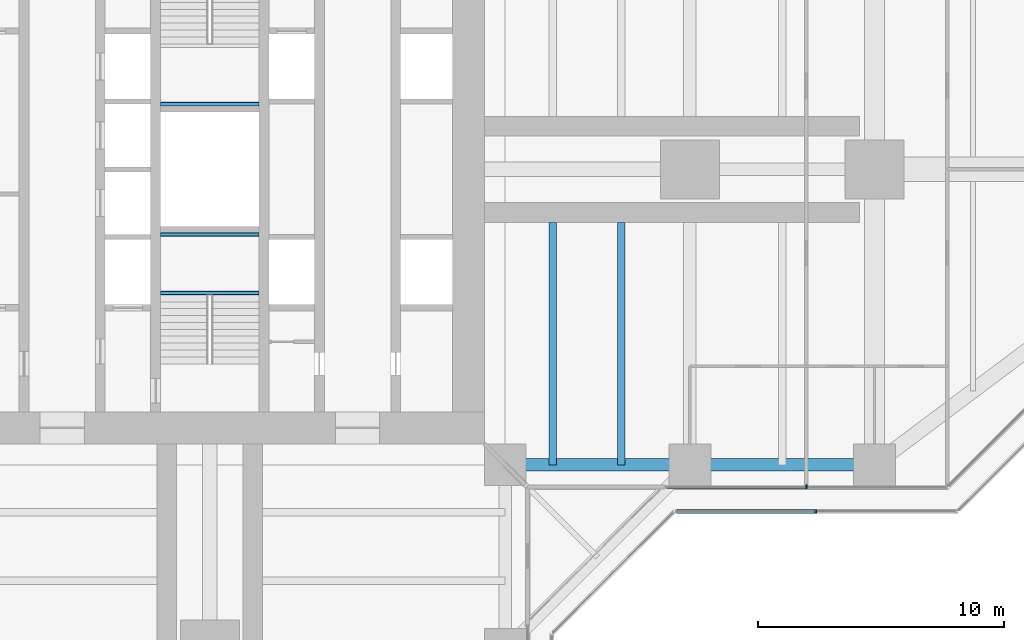
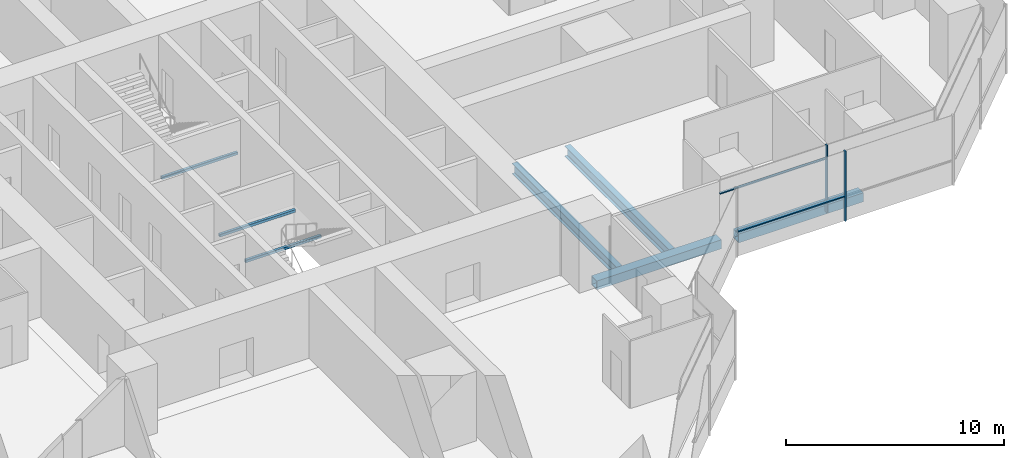
# One storey, part 5 of 20: 7 beams, 4 members, 2 elements without a shape of their own.
"""IFC4 building model written with IfcOpenShell, lengths in metres."""

import ifcopenshell
import ifcopenshell.guid

model = None  # the IFC model being written
_history = None  # IfcOwnerHistory: only IFC2X3 demands one
_inside = {}  # id of a spatial element -> (the spatial element, [elements in it])
_under = {}  # id of a project, library or spatial element -> (it, [spatial elements below it])
_declared = {}  # id of a project -> (the project, [libraries it declares])
_typed = {}  # id of a type object -> (the type object, [elements of that type])
_made_of = {}  # id of a material, layer set ... -> (it, [elements and type objects made of it])


def new_model(schema):
    """Start an empty IFC model of exactly this schema.

    Asked for "IFC4X3", IfcOpenShell would pick the latest addendum, in which some entities
    have other attributes; the version numbers below select the first issue.
    IFC2X3 requires an IfcOwnerHistory on every rooted entity: one is made here for all.
    """
    global model, _history
    if schema == "IFC4X3":
        model = ifcopenshell.file(schema_version=(4, 3, 0, 0))
    else:
        model = ifcopenshell.file(schema=schema)
    _inside.clear()
    _under.clear()
    _declared.clear()
    _typed.clear()
    _made_of.clear()
    _history = None
    if model.schema == "IFC2X3":
        org = make("IfcOrganization", Name="unknown")
        user = make(
            "IfcPersonAndOrganization",
            ThePerson=make("IfcPerson", FamilyName="unknown"),
            TheOrganization=org,
        )
        app = make(
            "IfcApplication",
            ApplicationDeveloper=org,
            Version="unknown",
            ApplicationFullName="unknown",
            ApplicationIdentifier="unknown",
        )
        _history = make(
            "IfcOwnerHistory",
            OwningUser=user,
            OwningApplication=app,
            ChangeAction="ADDED",
            CreationDate=0,
        )
    return model


def make(cls, **values):
    """One entity of the class cls with the attributes given. An attribute that is None is left unset."""
    return model.create_entity(
        cls, **{name: value for name, value in values.items() if value is not None}
    )


def rooted(cls, **values):
    """An entity with a GlobalId (a new one), such as an element, a storey or a relation."""
    return make(cls, GlobalId=ifcopenshell.guid.new(), OwnerHistory=_history, **values)


def si_unit(unit_type, name, prefix=None):
    """IfcSIUnit, for example si_unit("LENGTHUNIT", "METRE", prefix="MILLI")."""
    return make("IfcSIUnit", UnitType=unit_type, Prefix=prefix, Name=name)


def assignment(units):
    """IfcUnitAssignment: the units of a project."""
    return None if units is None else make("IfcUnitAssignment", Units=units)


def point(xyz):
    """IfcCartesianPoint."""
    return None if xyz is None else make("IfcCartesianPoint", Coordinates=xyz)


def direction(xyz):
    """IfcDirection."""
    return None if xyz is None else make("IfcDirection", DirectionRatios=xyz)


def frame(location, z_axis=None, x_axis=None):
    """IfcAxis2Placement3D, a coordinate frame: its origin and axes. An axis left out is left unset."""
    return make(
        "IfcAxis2Placement3D",
        Location=point(location),
        Axis=direction(z_axis),
        RefDirection=direction(x_axis),
    )


def frame_2d(location, x_axis=None):
    """IfcAxis2Placement2D, a coordinate frame in the plane: its origin and x axis."""
    return make(
        "IfcAxis2Placement2D", Location=point(location), RefDirection=direction(x_axis)
    )


def origin():
    """The frame at (0, 0, 0) with its axes left unset."""
    return frame((0.0, 0.0, 0.0))


def origin_2d():
    """The frame at (0, 0) in the plane with its x axis left unset."""
    return frame_2d((0.0, 0.0))


def place(relative_to, where):
    """IfcLocalPlacement: puts the frame where relative to a parent placement (None: the world)."""
    return make(
        "IfcLocalPlacement", PlacementRelTo=relative_to, RelativePlacement=where
    )


def context(
    kind, dimensions, precision=None, world=None, true_north=None, identifier=None
):
    """IfcGeometricRepresentationContext, for example the 3D "Model" context."""
    return make(
        "IfcGeometricRepresentationContext",
        ContextIdentifier=identifier,
        ContextType=kind,
        CoordinateSpaceDimension=dimensions,
        Precision=precision,
        WorldCoordinateSystem=world,
        TrueNorth=true_north,
    )


def subcontext(parent, identifier, kind, view, scale=None):
    """IfcGeometricRepresentationSubContext, for example "Body" below "Model"."""
    return make(
        "IfcGeometricRepresentationSubContext",
        ContextIdentifier=identifier,
        ContextType=kind,
        ParentContext=parent,
        TargetScale=scale,
        TargetView=view,
    )


def project(units=None, contexts=None):
    """IfcProject with its units and contexts."""
    return rooted(
        "IfcProject",
        Name="project",
        RepresentationContexts=contexts,
        UnitsInContext=assignment(units),
    )


def spatial(cls, under=None, at=None, **own):
    """A site, building, storey or space (cls), placed at a placement, below another one or the project."""
    s = rooted(cls, ObjectPlacement=at, **own)
    if under is not None:
        _under.setdefault(under.id(), (under, []))[1].append(s)
    return s


def profile(cls, at=None, kind="AREA", **sizes):
    """A parametric profile (cls). Its sizes go by their IFC names, for example OverallWidth=200.0."""
    return make(cls, ProfileType=kind, Position=at, **sizes)


def rectangle(**sizes):
    """IfcRectangleProfileDef."""
    return profile("IfcRectangleProfileDef", **sizes)


def hollow_rectangle(**sizes):
    """IfcRectangleHollowProfileDef."""
    return profile("IfcRectangleHollowProfileDef", **sizes)


def i_section(**sizes):
    """IfcIShapeProfileDef."""
    return profile("IfcIShapeProfileDef", **sizes)


def extrude(swept, where, along, depth):
    """IfcExtrudedAreaSolid: the profile swept, set in the frame where, extruded along a direction by depth."""
    return make(
        "IfcExtrudedAreaSolid",
        SweptArea=swept,
        Position=where,
        ExtrudedDirection=direction(along),
        Depth=depth,
    )


def shape(context_of_items, identifier, shape_type, items):
    """IfcShapeRepresentation: the items that make up one representation, for example the "Body"."""
    return make(
        "IfcShapeRepresentation",
        ContextOfItems=context_of_items,
        RepresentationIdentifier=identifier,
        RepresentationType=shape_type,
        Items=items,
    )


def material(Name=None, Category=None):
    """IfcMaterial."""
    return make("IfcMaterial", Name=Name, Category=Category)


def material_profile(
    of_material, cross_section, Name=None, Category=None, Priority=None
):
    """IfcMaterialProfile: a cross section and its material."""
    return make(
        "IfcMaterialProfile",
        Name=Name,
        Material=of_material,
        Profile=cross_section,
        Priority=Priority,
        Category=Category,
    )


def profile_set(profiles, Name=None, composite=None):
    """IfcMaterialProfileSet."""
    return make(
        "IfcMaterialProfileSet",
        Name=Name,
        MaterialProfiles=profiles,
        CompositeProfile=composite,
    )


def made_of(thing, what):
    """Note that an element or type object is made of a material, layer set ...; save() writes the relation."""
    if what is not None:
        _made_of.setdefault(what.id(), (what, []))[1].append(thing)
    return thing


def type_object(cls, material=None, **own):
    """A type object (cls), such as IfcWallType, which elements share."""
    return made_of(rooted(cls, **own), material)


def element(
    cls,
    number,
    at=None,
    inside=None,
    cuts=None,
    type_object=None,
    material=None,
    context=None,
    identifier="Body",
    shape_type=None,
    held_by="IfcProductDefinitionShape",
    body=None,
    shapes=None,
    **own,
):
    """One element of the class cls, such as IfcWall. Its Tag is "e" and its number.

    at: its placement. inside: the storey or other place that contains it. cuts: it is an
    opening in that element (IfcRelVoidsElement). A single representation is given by context,
    identifier, shape_type and body (its items); several are given by shapes. held_by: the class
    of the entity that holds the representations. save() writes the other relations.
    """
    e = rooted(cls, Tag="e%d" % number, ObjectPlacement=at, **own)
    if body is not None:
        shapes = [shape(context, identifier, shape_type, body)]
    if shapes is not None:
        e.Representation = make(held_by, Representations=shapes)
    if inside is not None:
        _inside.setdefault(inside.id(), (inside, []))[1].append(e)
    if cuts is not None:
        rooted(
            "IfcRelVoidsElement", RelatingBuildingElement=cuts, RelatedOpeningElement=e
        )
    if type_object is not None:
        _typed.setdefault(type_object.id(), (type_object, []))[1].append(e)
    return made_of(e, material)


def aggregate(whole, parts):
    """IfcRelAggregates: a whole, such as a stair, and the parts it consists of."""
    return rooted("IfcRelAggregates", RelatingObject=whole, RelatedObjects=parts)


def save(model, path):
    """Write the relations noted so far, then the file.

    IfcRelAggregates (storeys below a building ...), IfcRelContainedInSpatialStructure (elements
    in a storey), IfcRelDefinesByType, IfcRelAssociatesMaterial and IfcRelDeclares: one each for
    every whole, place, type object, material and project.
    """
    for whole, parts in _under.values():
        aggregate(whole, parts)
    for where, things in _inside.values():
        rooted(
            "IfcRelContainedInSpatialStructure",
            RelatedElements=things,
            RelatingStructure=where,
        )
    for kind, things in _typed.values():
        rooted("IfcRelDefinesByType", RelatedObjects=things, RelatingType=kind)
    for what, things in _made_of.values():
        rooted("IfcRelAssociatesMaterial", RelatedObjects=things, RelatingMaterial=what)
    for by, libraries in _declared.values():
        rooted("IfcRelDeclares", RelatingContext=by, RelatedDefinitions=libraries)
    model.write(path)


model = new_model("IFC4")

# Units and contexts
model_context = context("Model", 3, precision=1e-05, world=origin(), true_north=direction((0.0, 1.0)))
body_context = subcontext(model_context, "Body", "Model", "MODEL_VIEW")
ifc_project = project(units=[si_unit("LENGTHUNIT", "METRE"), si_unit("AREAUNIT", "SQUARE_METRE"), si_unit("VOLUMEUNIT", "CUBIC_METRE"), si_unit("PLANEANGLEUNIT", "RADIAN"), si_unit("MASSUNIT", "GRAM", prefix="KILO")], contexts=[model_context])

# Site, building, storey
site_placement = place(None, origin())
site = spatial("IfcSite", under=ifc_project, at=site_placement, CompositionType="ELEMENT")
building_placement = place(site_placement, origin())
building = spatial("IfcBuilding", under=site, at=building_placement, Name="Mizan Broadcast Tower", CompositionType="ELEMENT")
storey_placement = place(building_placement, frame((0.0, 0.0, 143.699951171875)))
storey = spatial("IfcBuildingStorey", under=building, at=storey_placement, Name="L32", CompositionType="ELEMENT", Elevation=143.699951171875)

# Beams
ifc_material_1 = material(Name="Steel S355", Category="steel")
ifc_material_profile_1 = material_profile(ifc_material_1, hollow_rectangle(XDim=0.5, YDim=0.5, WallThickness=0.030029296875, at=origin_2d()), Name="BOX 500x500x30")
ifc_profile_set_1 = profile_set([ifc_material_profile_1], Name="Steel S355")
beam_type_1 = type_object("IfcBeamType", Name="EDGE BEAM BOX 500x500x30", PredefinedType="SPANDREL", material=ifc_profile_set_1)
for number, where, z_axis, x_axis, name in (
    (1, (12.449951171875, -12.0, -0.3798828125), (1.0, 0.0, 0.0), (0.0, 1.0, 0.0), "Edge beam BOX 500x500x30 L32 east arm"),
    (2, (19.949951171875, -12.0, -0.3798828125), (1.0, 0.0, 0.0), (0.0, 1.0, 0.0), "Edge beam BOX 500x500x30 L32 east arm"),
):
    element("IfcBeam", number, at=place(storey_placement, frame(where, z_axis=z_axis, x_axis=x_axis)), inside=storey, type_object=beam_type_1, Name=name, PredefinedType="SPANDREL", context=body_context, shape_type="SweptSolid", body=[
        extrude(hollow_rectangle(XDim=0.5, YDim=0.5, WallThickness=0.030029296875, at=origin_2d()), origin(), (0.0, 0.0, 1.0), 6.60009765625),
    ])

# Curtain wall, members
ifc_material_2 = material(Name="Aluminium framed glazing", Category="aluminium")
curtain_wall_type_1 = type_object("IfcCurtainWallType", Name="INNER SKIN MID ZONE", PredefinedType="USERDEFINED", material=ifc_material_2)
curtain_wall_1_placement = place(storey_placement, origin())
curtain_wall_1 = element("IfcCurtainWall", 3, at=curtain_wall_1_placement, inside=storey, type_object=curtain_wall_type_1, Name="Inner skin mid zone L32 E side", ObjectType="INNER SKIN MID ZONE", PredefinedType="USERDEFINED")
ifc_material_3 = material(Name="Aluminium, pale anodised", Category="aluminium")
ifc_material_profile_2 = material_profile(ifc_material_3, rectangle(XDim=0.159912109375, YDim=0.06005859375, at=origin_2d()), Name="MULLION 160x60")
ifc_profile_set_2 = profile_set([ifc_material_profile_2], Name="Aluminium, pale anodised")
member_type_1 = type_object("IfcMemberType", Name="INNER SKIN MULLION 60x160", PredefinedType="MULLION", material=ifc_profile_set_2)
member_1_placement = place(storey_placement, frame((24.229248046875, -12.89990234375, 0.0), z_axis=(0.0, 0.0, 1.0), x_axis=(0.0, 1.0, 0.0)))
member_1 = element("IfcMember", 4, at=member_1_placement, type_object=member_type_1, Name="Inner skin mid zone L32 E side mullion 2", PredefinedType="MULLION", context=body_context, shape_type="SweptSolid", body=[
    extrude(rectangle(XDim=0.159912109375, YDim=0.06005859375, at=origin_2d()), origin(), (0.0, 0.0, 1.0), 3.77001953125),
])
ifc_material_4 = material(Name="Aluminium, pale anodised", Category="aluminium")
ifc_material_profile_3 = material_profile(ifc_material_4, rectangle(XDim=0.1201171875, YDim=0.06005859375, at=origin_2d()), Name="TRANSOM 120x60")
ifc_profile_set_3 = profile_set([ifc_material_profile_3], Name="Aluminium, pale anodised")
member_type_2 = type_object("IfcMemberType", Name="INNER SKIN TRANSOM 60x120", PredefinedType="USERDEFINED", material=ifc_profile_set_3)
member_2_placement = place(storey_placement, frame((18.56005859375, -12.89990234375, 3.030029296875), z_axis=(1.0, 0.0, 0.0), x_axis=(0.0, 1.0, 0.0)))
member_2 = element("IfcMember", 5, at=member_2_placement, type_object=member_type_2, Name="Inner skin mid zone L32 E side transom 1.1", ObjectType="TRANSOM", PredefinedType="USERDEFINED", context=body_context, shape_type="SweptSolid", body=[
    extrude(rectangle(XDim=0.1201171875, YDim=0.06005859375, at=origin_2d()), origin(), (0.0, 0.0, 1.0), 5.63916015625),
])
aggregate(curtain_wall_1, [member_1, member_2])

# Beams
ifc_material_5 = material(Name="Steel S355", Category="steel")
ifc_material_profile_4 = material_profile(ifc_material_5, hollow_rectangle(XDim=0.14990234375, YDim=0.14990234375, WallThickness=0.008056640625, InnerFilletRadius=0.008056640625, OuterFilletRadius=0.011962890625, at=origin_2d()), Name="SHS 150x150x8")
ifc_profile_set_4 = profile_set([ifc_material_profile_4], Name="Steel S355")
beam_type_2 = type_object("IfcBeamType", Name="LANDING TRIMMER SHS 150x150x8", PredefinedType="BEAM", material=ifc_profile_set_4)
for number, where, z_axis, x_axis, name in (
    (6, (-2.0, -5.02490234375, 1.675048828125), (1.0, 0.0, 0.0), (0.0, 1.0, 0.0), "Stair A landing trimmer L32"),
    (7, (-2.0, -2.64990234375, 1.675048828125), (1.0, 0.0, 0.0), (0.0, 1.0, 0.0), "Stair A landing trimmer L32"),
    (8, (2.0, 2.64990234375, 1.675048828125), (-1.0, 0.0, 0.0), (0.0, -1.0, 0.0), "Stair B landing trimmer L32"),
):
    element("IfcBeam", number, at=place(storey_placement, frame(where, z_axis=z_axis, x_axis=x_axis)), inside=storey, type_object=beam_type_2, Name=name, PredefinedType="BEAM", context=body_context, shape_type="SweptSolid", body=[
        extrude(hollow_rectangle(XDim=0.14990234375, YDim=0.14990234375, WallThickness=0.008056640625, InnerFilletRadius=0.008056640625, OuterFilletRadius=0.011962890625, at=origin_2d()), origin(), (0.0, 0.0, 1.0), 4.0),
    ])

# Curtain wall, members
ifc_material_6 = material(Name="Aluminium framed glazing", Category="aluminium")
curtain_wall_type_2 = type_object("IfcCurtainWallType", Name="OUTER SKIN", PredefinedType="USERDEFINED", material=ifc_material_6)
curtain_wall_2_placement = place(storey_placement, origin())
curtain_wall_2 = element("IfcCurtainWall", 9, at=curtain_wall_2_placement, inside=storey, type_object=curtain_wall_type_2, Name="Outer skin L32 E side", ObjectType="OUTER SKIN", PredefinedType="USERDEFINED")
ifc_material_7 = material(Name="Aluminium, pale anodised", Category="aluminium")
ifc_material_profile_5 = material_profile(ifc_material_7, rectangle(XDim=0.159912109375, YDim=0.080078125, at=origin_2d()), Name="MULLION 160x80")
ifc_profile_set_5 = profile_set([ifc_material_profile_5], Name="Aluminium, pale anodised")
member_type_3 = type_object("IfcMemberType", Name="OUTER SKIN MULLION 80x160", PredefinedType="MULLION", material=ifc_profile_set_5)
member_3_placement = place(storey_placement, frame((24.622802734375, -13.89990234375, 0.0), z_axis=(0.0, 0.0, 1.0), x_axis=(0.0, 1.0, 0.0)))
member_3 = element("IfcMember", 10, at=member_3_placement, type_object=member_type_3, Name="Outer skin L32 E side mullion 2", PredefinedType="MULLION", context=body_context, shape_type="SweptSolid", body=[
    extrude(rectangle(XDim=0.159912109375, YDim=0.080078125, at=origin_2d()), origin(), (0.0, 0.0, 1.0), 3.900146484375),
])
ifc_material_8 = material(Name="Aluminium, pale anodised", Category="aluminium")
ifc_material_profile_6 = material_profile(ifc_material_8, rectangle(XDim=0.159912109375, YDim=0.06005859375, at=origin_2d()), Name="TRANSOM 160x60")
ifc_profile_set_6 = profile_set([ifc_material_profile_6], Name="Aluminium, pale anodised")
member_type_4 = type_object("IfcMemberType", Name="OUTER SKIN TRANSOM 60x160", PredefinedType="USERDEFINED", material=ifc_profile_set_6)
member_4_placement = place(storey_placement, frame((18.952880859375, -13.89990234375, 1.400146484375), z_axis=(1.0, 0.0, 0.0), x_axis=(0.0, 1.0, 0.0)))
member_4 = element("IfcMember", 11, at=member_4_placement, type_object=member_type_4, Name="Outer skin L32 E side transom 1.1", ObjectType="TRANSOM", PredefinedType="USERDEFINED", context=body_context, shape_type="SweptSolid", body=[
    extrude(rectangle(XDim=0.159912109375, YDim=0.06005859375, at=origin_2d()), origin(), (0.0, 0.0, 1.0), 5.6298828125),
])
aggregate(curtain_wall_2, [member_3, member_4])

# Beams
ifc_material_9 = material(Name="Steel S355", Category="steel")
ifc_material_profile_7 = material_profile(ifc_material_9, i_section(OverallWidth=0.300048828125, OverallDepth=0.590087890625, WebThickness=0.012939453125, FlangeThickness=0.02490234375, FilletRadius=0.027099609375, at=origin_2d()), Name="HEA 600")
ifc_profile_set_7 = profile_set([ifc_material_profile_7], Name="Steel S355")
beam_type_3 = type_object("IfcBeamType", Name="SECONDARY BEAM HEA 600", PredefinedType="JOIST", material=ifc_profile_set_7)
for number, where, z_axis, x_axis, name in (
    (12, (13.933349609375, -12.0, -0.425048828125), (0.0, 1.0, 0.0), (-1.0, 0.0, 0.0), "Secondary beam HEA 600 L32 east arm"),
    (13, (16.716552734375, -12.0, -0.425048828125), (0.0, 1.0, 0.0), (-1.0, 0.0, 0.0), "Secondary beam HEA 600 L32 east arm"),
):
    element("IfcBeam", number, at=place(storey_placement, frame(where, z_axis=z_axis, x_axis=x_axis)), inside=storey, type_object=beam_type_3, Name=name, PredefinedType="JOIST", context=body_context, shape_type="SweptSolid", body=[
        extrude(i_section(OverallWidth=0.300048828125, OverallDepth=0.590087890625, WebThickness=0.012939453125, FlangeThickness=0.02490234375, FilletRadius=0.027099609375, at=origin_2d()), origin(), (0.0, 0.0, 1.0), 9.85009765625),
    ])

save(model, "model.ifc")
